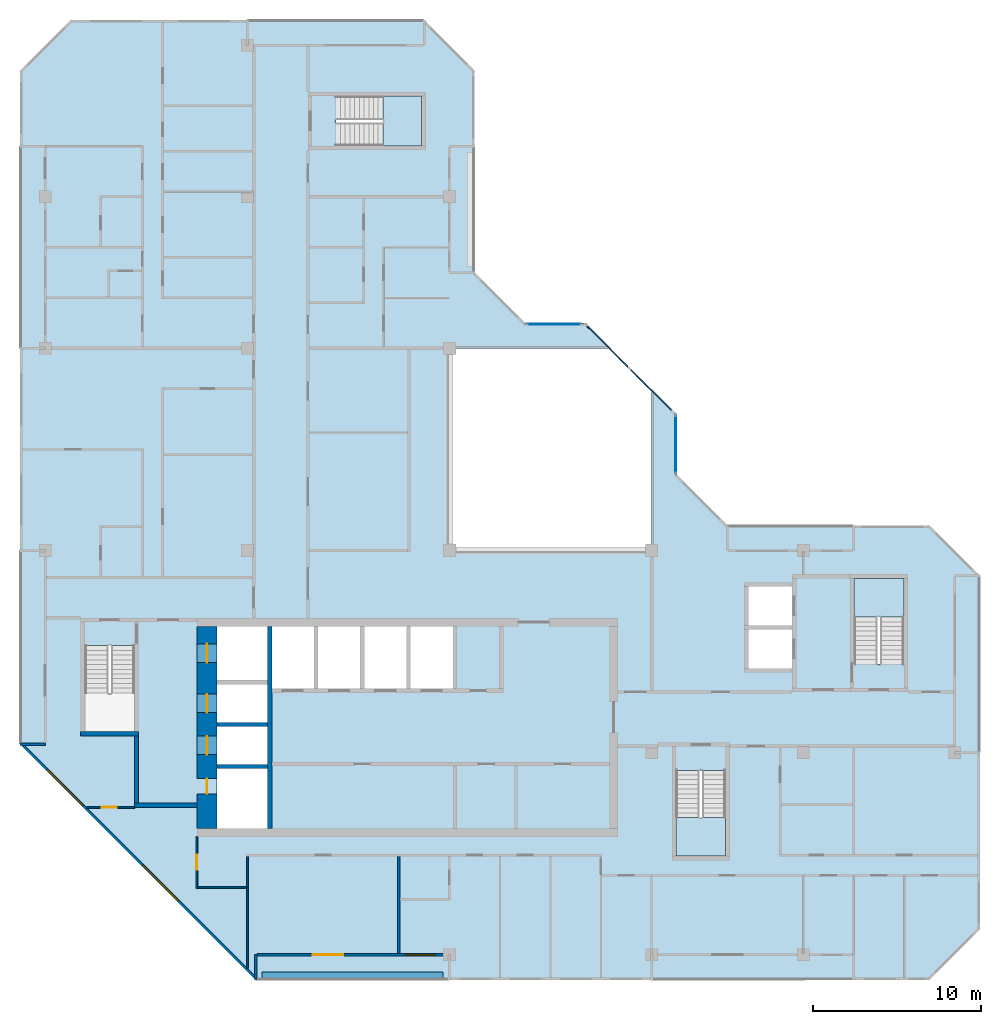
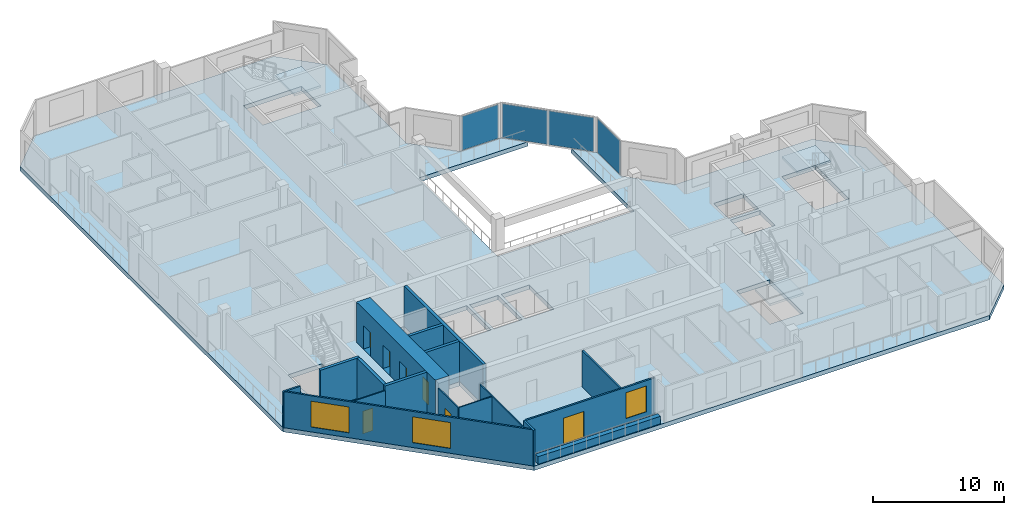
# One storey, part 3 of 12: 17 walls, 7 doors, 4 plates, 4 slabs, 3 windows, 10 openings, 6 elements without a shape of their own.
"""IFC4 building model written with IfcOpenShell, lengths in metres."""

from ifc_helpers import new_model, si_unit, direction, frame, frame_2d, origin, origin_2d, place, context, subcontext, project, spatial, polyline, rectangle, outline, extrude, material, layer, layer_set, type_object, element, fill, aggregate, save


model = new_model("IFC4")

# Units and contexts
model_context = context("Model", 3, precision=1e-05, world=origin(), true_north=direction((0.0, 1.0)))
body_context = subcontext(model_context, "Body", "Model", "MODEL_VIEW")
ifc_project = project(units=[si_unit("LENGTHUNIT", "METRE"), si_unit("AREAUNIT", "SQUARE_METRE"), si_unit("VOLUMEUNIT", "CUBIC_METRE"), si_unit("PLANEANGLEUNIT", "RADIAN"), si_unit("MASSUNIT", "GRAM", prefix="KILO")], contexts=[model_context])

# Site, building, storey
site_placement = place(None, origin())
site = spatial("IfcSite", under=ifc_project, at=site_placement, CompositionType="ELEMENT")
building_placement = place(site_placement, origin())
building = spatial("IfcBuilding", under=site, at=building_placement, Name="Chenar Terraces", CompositionType="ELEMENT")
storey_placement = place(building_placement, frame((0.0, 0.0, 350.14990234375)))
storey = spatial("IfcBuildingStorey", under=building, at=storey_placement, Name="L81", CompositionType="ELEMENT", Elevation=350.14990234375)

# Curtain wall, plate
ifc_material_1 = material(Name="Aluminium framed glazing", Category="aluminium")
ifc_layer_1 = layer(ifc_material_1, 0.14990234375)
ifc_layer_set_1 = layer_set([ifc_layer_1], Name="Aluminium framed glazing")
curtain_wall_type = type_object("IfcCurtainWallType", Name="Atrium upper-zone curtain wall", PredefinedType="NOTDEFINED", material=ifc_layer_set_1)
placement_1 = place(storey_placement, origin())
curtain_wall_1 = element("IfcCurtainWall", 1, at=placement_1, inside=storey, type_object=curtain_wall_type, Name="Atrium upper-zone curtain wall", PredefinedType="NOTDEFINED")
ifc_material_2 = material(Name="Low emissivity laminated glass, solar control coating", Category="glass")
ifc_layer_2 = layer(ifc_material_2, 0.050048828125)
ifc_layer_set_2 = layer_set([ifc_layer_2], Name="Low emissivity laminated glass, solar control coating")
plate_type = type_object("IfcPlateType", Name="Atrium upper-zone glazing panel 50", PredefinedType="CURTAIN_PANEL", material=ifc_layer_set_2)
plate_1_placement = place(storey_placement, frame((37.425048828125, 30.300048828125, 0.10009765625), z_axis=(0.0, 0.0, 1.0), x_axis=(0.0, 1.0, 0.0)))
plate_1 = element("IfcPlate", 2, at=plate_1_placement, type_object=plate_type, Name="CW8-1 panel 1.1", PredefinedType="CURTAIN_PANEL", context=body_context, shape_type="SweptSolid", body=[
    extrude(rectangle(XDim=3.39990234375, YDim=0.050048828125, at=origin_2d()), origin(), (0.0, 0.0, 1.0), 3.14990234375),
])
aggregate(curtain_wall_1, [plate_1])

# Curtain wall, plates
curtain_wall_2 = element("IfcCurtainWall", 3, at=placement_1, inside=storey, type_object=curtain_wall_type, Name="Atrium upper-zone curtain wall", PredefinedType="NOTDEFINED")
plate_2_placement = place(storey_placement, frame((35.97314453125, 33.520751953125, 0.10009765625), z_axis=(0.0, 0.0, 1.0), x_axis=(-0.707106781187, 0.707106781187, 0.0)))
plate_2 = element("IfcPlate", 4, at=plate_2_placement, type_object=plate_type, Name="CW8-2 panel 1.1", PredefinedType="CURTAIN_PANEL", context=body_context, shape_type="SweptSolid", body=[
    extrude(rectangle(XDim=3.568359375, YDim=0.050048828125, at=origin_2d()), origin(), (0.0, 0.0, 1.0), 3.14990234375),
])
plate_3_placement = place(storey_placement, frame((33.379150390625, 36.11474609375, 0.10009765625), z_axis=(0.0, 0.0, 1.0), x_axis=(-0.707106781187, 0.707106781187, 0.0)))
plate_3 = element("IfcPlate", 5, at=plate_3_placement, type_object=plate_type, Name="CW8-2 panel 2.1", PredefinedType="CURTAIN_PANEL", context=body_context, shape_type="SweptSolid", body=[
    extrude(rectangle(XDim=3.568359375, YDim=0.050048828125, at=origin_2d()), origin(), (0.0, 0.0, 1.0), 3.14990234375),
])
aggregate(curtain_wall_2, [plate_2, plate_3])

# Curtain wall, plate
curtain_wall_3 = element("IfcCurtainWall", 6, at=placement_1, inside=storey, type_object=curtain_wall_type, Name="Atrium upper-zone curtain wall", PredefinedType="NOTDEFINED")
plate_4_placement = place(storey_placement, frame((30.199951171875, 37.425048828125, 0.10009765625), z_axis=(0.0, 0.0, 1.0), x_axis=(-1.0, 0.0, 0.0)))
plate_4 = element("IfcPlate", 7, at=plate_4_placement, type_object=plate_type, Name="CW8-3 panel 1.1", PredefinedType="CURTAIN_PANEL", context=body_context, shape_type="SweptSolid", body=[
    extrude(rectangle(XDim=3.199951171875, YDim=0.050048828125, at=origin_2d()), origin(), (0.0, 0.0, 1.0), 3.14990234375),
])
aggregate(curtain_wall_3, [plate_4])

# Stair, slab
ifc_material_3 = material(Name="Reinforced concrete C40/50", Category="concrete")
stair_type = type_object("IfcStairType", Name="Core stair 1400 half-turn", PredefinedType="HALF_TURN_STAIR", material=ifc_material_3)
stair_1 = element("IfcStair", 8, at=placement_1, inside=storey, type_object=stair_type, Name="L81 Stair 2", PredefinedType="HALF_TURN_STAIR")
ifc_material_4 = material(Name="Reinforced concrete C40/50", Category="concrete")
ifc_layer_3 = layer(ifc_material_4, 0.199951171875)
ifc_layer_set_3 = layer_set([ifc_layer_3], Name="Reinforced concrete C40/50")
slab_type_1 = type_object("IfcSlabType", Name="Core stair landing 200", PredefinedType="LANDING", material=ifc_layer_set_3)
placement_2 = place(storey_placement, frame((0.0, 0.0, 1.675048828125)))
slab_1 = element("IfcSlab", 9, at=placement_2, type_object=slab_type_1, Name="ST2 landing 1", PredefinedType="LANDING", context=body_context, shape_type="SweptSolid", body=[
    extrude(outline(polyline([(37.449951171875, 8.14990234375), (37.449951171875, 5.85009765625), (40.39990234375, 5.85009765625), (40.39990234375, 8.14990234375), (37.449951171875, 8.14990234375)])), origin(), (0.0, 0.0, 1.0), 0.199951171875),
])
aggregate(stair_1, [slab_1])

stair_2 = element("IfcStair", 10, at=placement_1, inside=storey, type_object=stair_type, Name="L81 Stair 3", PredefinedType="HALF_TURN_STAIR")
slab_2 = element("IfcSlab", 11, at=placement_2, type_object=slab_type_1, Name="ST3 landing 1", PredefinedType="LANDING", context=body_context, shape_type="SweptSolid", body=[
    extrude(outline(polyline([(50.97509765625, 20.050048828125), (50.97509765625, 22.35009765625), (48.02490234375, 22.35009765625), (48.02490234375, 20.050048828125), (50.97509765625, 20.050048828125)])), origin(), (0.0, 0.0, 1.0), 0.199951171875),
])
aggregate(stair_2, [slab_2])

stair_3 = element("IfcStair", 12, at=placement_1, inside=storey, type_object=stair_type, Name="L81 Stair 4", PredefinedType="HALF_TURN_STAIR")
slab_3 = element("IfcSlab", 13, at=placement_2, type_object=slab_type_1, Name="ST4 landing 1", PredefinedType="LANDING", context=body_context, shape_type="SweptSolid", body=[
    extrude(outline(polyline([(20.050048828125, 48.02490234375), (22.35009765625, 48.02490234375), (22.35009765625, 50.97509765625), (20.050048828125, 50.97509765625), (20.050048828125, 48.02490234375)])), origin(), (0.0, 0.0, 1.0), 0.199951171875),
])
aggregate(stair_3, [slab_3])

# Slab
ifc_material_5 = material(Name="Concrete C40/50", Category="concrete")
ifc_layer_4 = layer(ifc_material_5, 0.39990234375)
ifc_layer_set_4 = layer_set([ifc_layer_4], Name="Concrete C40/50")
slab_type_2 = type_object("IfcSlabType", Name="Floor slab 400 Concrete C40/50", PredefinedType="FLOOR", material=ifc_layer_set_4)
slab_4_placement = place(storey_placement, frame((0.0, 0.0, -0.39990234375)))
element("IfcSlab", 14, at=slab_4_placement, inside=storey, type_object=slab_type_2, Name="Floor slab L81", PredefinedType="FLOOR", context=body_context, shape_type="SweptSolid", body=[
    extrude(outline(polyline([(55.5, 22.5), (55.5, 1.5), (52.5, -1.5), (12.5, -1.5), (-1.5, 12.5), (-1.5, 52.5), (1.5, 55.5), (22.5, 55.5), (25.5, 52.5), (25.5, 40.5), (28.5, 37.5), (32.10009765625, 37.5), (33.60009765625, 36.0), (24.0, 36.0), (24.0, 24.0), (36.0, 24.0), (36.0, 33.60009765625), (37.5, 32.10009765625), (37.5, 28.5), (40.5, 25.5), (52.5, 25.5), (55.5, 22.5)]), holes=[polyline([(10.199951171875, 11.050048828125), (10.199951171875, 7.5), (13.199951171875, 7.5), (13.199951171875, 11.050048828125), (10.199951171875, 11.050048828125)]), polyline([(13.199951171875, 13.550048828125), (10.199951171875, 13.550048828125), (10.199951171875, 11.300048828125), (13.199951171875, 11.300048828125), (13.199951171875, 13.550048828125)]), polyline([(13.199951171875, 16.050048828125), (10.199951171875, 16.050048828125), (10.199951171875, 13.800048828125), (13.199951171875, 13.800048828125), (13.199951171875, 16.050048828125)]), polyline([(2.35009765625, 13.25), (5.300048828125, 13.25), (5.300048828125, 18.35009765625), (2.35009765625, 18.35009765625), (2.35009765625, 13.25)]), polyline([(15.949951171875, 19.5), (13.449951171875, 19.5), (13.449951171875, 15.800048828125), (15.949951171875, 15.800048828125), (15.949951171875, 19.5)]), polyline([(18.699951171875, 19.5), (16.199951171875, 19.5), (16.199951171875, 15.800048828125), (18.699951171875, 15.800048828125), (18.699951171875, 19.5)]), polyline([(13.199951171875, 19.5), (10.199951171875, 19.5), (10.199951171875, 16.300048828125), (13.199951171875, 16.300048828125), (13.199951171875, 19.5)]), polyline([(22.35009765625, 48.02490234375), (22.35009765625, 50.97509765625), (17.25, 50.97509765625), (17.25, 48.02490234375), (22.35009765625, 48.02490234375)]), polyline([(37.449951171875, 5.85009765625), (40.39990234375, 5.85009765625), (40.39990234375, 10.949951171875), (37.449951171875, 10.949951171875), (37.449951171875, 5.85009765625)]), polyline([(21.449951171875, 19.5), (18.949951171875, 19.5), (18.949951171875, 15.800048828125), (21.449951171875, 15.800048828125), (21.449951171875, 19.5)]), polyline([(24.199951171875, 19.5), (21.699951171875, 19.5), (21.699951171875, 15.800048828125), (24.199951171875, 15.800048828125), (24.199951171875, 19.5)]), polyline([(44.35009765625, 19.300048828125), (41.75, 19.300048828125), (41.75, 17.0), (44.35009765625, 17.0), (44.35009765625, 19.300048828125)]), polyline([(50.97509765625, 22.35009765625), (48.02490234375, 22.35009765625), (48.02490234375, 17.25), (50.97509765625, 17.25), (50.97509765625, 22.35009765625)]), polyline([(44.35009765625, 21.85009765625), (41.75, 21.85009765625), (41.75, 19.550048828125), (44.35009765625, 19.550048828125), (44.35009765625, 21.85009765625)])]), origin(), (0.0, 0.0, 1.0), 0.39990234375),
])

# Wall, openings, doors
ifc_material_6 = material(Name="Concrete C50/60", Category="concrete")
ifc_layer_5 = layer(ifc_material_6, 1.199951171875)
ifc_layer_set_5 = layer_set([ifc_layer_5], Name="Concrete C50/60")
wall_type_1 = type_object("IfcWallType", Name="Core wall 1200 Concrete C50/60", PredefinedType="SHEAR", material=ifc_layer_set_5)
wall_1_placement = place(storey_placement, frame((9.60009765625, 7.5, 0.0), z_axis=(0.0, 0.0, 1.0), x_axis=(0.0, 1.0, 0.0)))
wall_1 = element("IfcWall", 15, at=wall_1_placement, inside=storey, type_object=wall_type_1, Name="Core wall W L81", PredefinedType="SHEAR", context=body_context, shape_type="SweptSolid", body=[
    extrude(rectangle(XDim=12.0, YDim=1.199951171875, at=frame_2d((6.0, 0.0))), origin(), (0.0, 0.0, 1.0), 3.75),
])
opening_1_placement = place(wall_1_placement, frame((4.375, 0.0, 0.0)))
opening_1 = element("IfcOpeningElement", 16, at=opening_1_placement, cuts=wall_1, Name="Opening DL81-LD5", PredefinedType="OPENING", context=body_context, shape_type="SweptSolid", body=[
    extrude(rectangle(XDim=1.10009765625, YDim=2.199951171875, at=frame_2d((0.550048828125, 1.10009765625))), frame((0.0, 0.60986328125, 0.0), z_axis=(0.0, -1.0, 0.0), x_axis=(1.0, 0.0, 0.0)), (0.0, 0.0, 1.0), 1.219970703125),
])
opening_2_placement = place(wall_1_placement, frame((6.875, 0.0, 0.0)))
opening_2 = element("IfcOpeningElement", 17, at=opening_2_placement, cuts=wall_1, Name="Opening DL81-LD6", PredefinedType="OPENING", context=body_context, shape_type="SweptSolid", body=[
    extrude(rectangle(XDim=1.10009765625, YDim=2.199951171875, at=frame_2d((0.550048828125, 1.10009765625))), frame((0.0, 0.60986328125, 0.0), z_axis=(0.0, -1.0, 0.0), x_axis=(1.0, 0.0, 0.0)), (0.0, 0.0, 1.0), 1.219970703125),
])
opening_3_placement = place(wall_1_placement, frame((9.85009765625, 0.0, 0.0)))
opening_3 = element("IfcOpeningElement", 18, at=opening_3_placement, cuts=wall_1, Name="Opening DL81-LD7", PredefinedType="OPENING", context=body_context, shape_type="SweptSolid", body=[
    extrude(rectangle(XDim=1.10009765625, YDim=2.199951171875, at=frame_2d((0.550048828125, 1.10009765625))), frame((0.0, 0.60986328125, 0.0), z_axis=(0.0, -1.0, 0.0), x_axis=(1.0, 0.0, 0.0)), (0.0, 0.0, 1.0), 1.219970703125),
])
opening_4_placement = place(wall_1_placement, frame((2.050048828125, 0.0, 0.0)))
opening_4 = element("IfcOpeningElement", 19, at=opening_4_placement, cuts=wall_1, Name="Opening DL81-C4", PredefinedType="OPENING", context=body_context, shape_type="SweptSolid", body=[
    extrude(rectangle(XDim=0.89990234375, YDim=2.10009765625, at=frame_2d((0.449951171875, 1.050048828125))), frame((0.0, 0.60986328125, 0.0), z_axis=(0.0, -1.0, 0.0), x_axis=(1.0, 0.0, 0.0)), (0.0, 0.0, 1.0), 1.219970703125),
])
ifc_material_7 = material(Name="Stainless steel", Category="steel")
door_type_1 = type_object("IfcDoorType", Name="Lift landing door 1100 x 2200 sliding", OperationType="DOUBLE_DOOR_SLIDING", PredefinedType="DOOR", material=ifc_material_7)
door_1_placement = place(opening_1_placement, origin())
door_1 = element("IfcDoor", 20, at=door_1_placement, inside=storey, type_object=door_type_1, Name="Landing door S1", OperationType="DOUBLE_DOOR_SLIDING", OverallHeight=2.199951171875, OverallWidth=1.10009765625, PredefinedType="DOOR", context=body_context, shape_type="SweptSolid", body=[
    extrude(rectangle(XDim=1.10009765625, YDim=2.199951171875, at=frame_2d((0.550048828125, 1.10009765625))), frame((0.0, 0.02490234375, 0.0), z_axis=(0.0, -1.0, 0.0), x_axis=(1.0, 0.0, 0.0)), (0.0, 0.0, 1.0), 0.050048828125),
])
fill(opening_1, door_1)
door_2_placement = place(opening_2_placement, origin())
door_2 = element("IfcDoor", 21, at=door_2_placement, inside=storey, type_object=door_type_1, Name="Landing door F1", OperationType="DOUBLE_DOOR_SLIDING", OverallHeight=2.199951171875, OverallWidth=1.10009765625, PredefinedType="DOOR", context=body_context, shape_type="SweptSolid", body=[
    extrude(rectangle(XDim=1.10009765625, YDim=2.199951171875, at=frame_2d((0.550048828125, 1.10009765625))), frame((0.0, 0.02490234375, 0.0), z_axis=(0.0, -1.0, 0.0), x_axis=(1.0, 0.0, 0.0)), (0.0, 0.0, 1.0), 0.050048828125),
])
fill(opening_2, door_2)
door_3_placement = place(opening_3_placement, origin())
door_3 = element("IfcDoor", 22, at=door_3_placement, inside=storey, type_object=door_type_1, Name="Landing door F2", OperationType="DOUBLE_DOOR_SLIDING", OverallHeight=2.199951171875, OverallWidth=1.10009765625, PredefinedType="DOOR", context=body_context, shape_type="SweptSolid", body=[
    extrude(rectangle(XDim=1.10009765625, YDim=2.199951171875, at=frame_2d((0.550048828125, 1.10009765625))), frame((0.0, 0.02490234375, 0.0), z_axis=(0.0, -1.0, 0.0), x_axis=(1.0, 0.0, 0.0)), (0.0, 0.0, 1.0), 0.050048828125),
])
fill(opening_3, door_3)
ifc_material_8 = material(Name="Steel-framed fire-resisting door leaf", Category="steel")
door_type_2 = type_object("IfcDoorType", Name="Riser fire door FD60 900 x 2100", OperationType="SINGLE_SWING_LEFT", PredefinedType="DOOR", material=ifc_material_8)
door_4_placement = place(opening_4_placement, frame((0.89990234375, 0.0, 0.0), z_axis=(0.0, 0.0, 1.0), x_axis=(-1.0, 0.0, 0.0)))
door_4 = element("IfcDoor", 23, at=door_4_placement, inside=storey, type_object=door_type_2, Name="Riser door DL81-C4", OperationType="SINGLE_SWING_LEFT", OverallHeight=2.10009765625, OverallWidth=0.89990234375, PredefinedType="DOOR", context=body_context, shape_type="SweptSolid", body=[
    extrude(rectangle(XDim=0.89990234375, YDim=2.10009765625, at=frame_2d((0.449951171875, 1.050048828125))), frame((0.0, 0.02490234375, 0.0), z_axis=(0.0, -1.0, 0.0), x_axis=(1.0, 0.0, 0.0)), (0.0, 0.0, 1.0), 0.050048828125),
])
fill(opening_4, door_4)

# Walls
ifc_material_9 = material(Name="Concrete C50/60", Category="concrete")
ifc_layer_6 = layer(ifc_material_9, 0.25)
ifc_layer_set_6 = layer_set([ifc_layer_6], Name="Concrete C50/60")
wall_type_2 = type_object("IfcWallType", Name="Core wall 250 Concrete C50/60", PredefinedType="SHEAR", material=ifc_layer_set_6)
wall_2_placement = place(storey_placement, frame((13.324951171875, 7.5, 0.0), z_axis=(0.0, 0.0, 1.0), x_axis=(0.0, 1.0, 0.0)))
element("IfcWall", 24, at=wall_2_placement, inside=storey, type_object=wall_type_2, Name="Core wall WI L81", PredefinedType="SHEAR", context=body_context, shape_type="SweptSolid", body=[
    extrude(rectangle(XDim=12.0, YDim=0.25, at=frame_2d((6.0, 0.0))), origin(), (0.0, 0.0, 1.0), 3.75),
])
for number, where, z_axis, x_axis, name in (
    (25, (10.199951171875, 11.175048828125, 0.0), (0.0, 0.0, 1.0), (1.0, 0.0, 0.0), "Core wall HW0 L81"),
    (26, (10.199951171875, 13.675048828125, 0.0), (0.0, 0.0, 1.0), (1.0, 0.0, 0.0), "Core wall HW1 L81"),
):
    element("IfcWall", number, at=place(storey_placement, frame(where, z_axis=z_axis, x_axis=x_axis)), inside=storey, type_object=wall_type_2, Name=name, PredefinedType="SHEAR", context=body_context, shape_type="SweptSolid", body=[
        extrude(rectangle(XDim=3.0, YDim=0.25, at=frame_2d((1.5, 0.0))), origin(), (0.0, 0.0, 1.0), 3.75),
    ])
wall_3_placement = place(storey_placement, frame((2.10009765625, 13.125, 0.0), z_axis=(0.0, 0.0, 1.0), x_axis=(1.0, 0.0, 0.0)))
element("IfcWall", 27, at=wall_3_placement, inside=storey, type_object=wall_type_2, Name="Core wall ST1_S L81", PredefinedType="SHEAR", context=body_context, shape_type="SweptSolid", body=[
    extrude(rectangle(XDim=3.449951171875, YDim=0.25, at=frame_2d((1.72509765625, 0.0))), origin(), (0.0, 0.0, 1.0), 3.75),
])
wall_4_placement = place(storey_placement, frame((5.300048828125, 8.875, 0.0), z_axis=(0.0, 0.0, 1.0), x_axis=(1.0, 0.0, 0.0)))
element("IfcWall", 28, at=wall_4_placement, inside=storey, type_object=wall_type_2, Name="Core wall FFL_S L81", PredefinedType="SHEAR", context=body_context, shape_type="SweptSolid", body=[
    extrude(rectangle(XDim=3.699951171875, YDim=0.25, at=frame_2d((1.85009765625, 0.0))), origin(), (0.0, 0.0, 1.0), 3.75),
])
wall_5_placement = place(storey_placement, frame((5.425048828125, 9.0, 0.0), z_axis=(0.0, 0.0, 1.0), x_axis=(0.0, 1.0, 0.0)))
element("IfcWall", 29, at=wall_5_placement, inside=storey, type_object=wall_type_2, Name="Core wall FFL_W L81", PredefinedType="SHEAR", context=body_context, shape_type="SweptSolid", body=[
    extrude(rectangle(XDim=4.0, YDim=0.25, at=frame_2d((2.0, 0.0))), origin(), (0.0, 0.0, 1.0), 3.75),
])

# Wall, openings, window, door
ifc_material_10 = material(Name="Aluminium framed glazing", Category="aluminium")
ifc_layer_7 = layer(ifc_material_10, 0.14990234375)
ifc_layer_set_7 = layer_set([ifc_layer_7], Name="Aluminium framed glazing")
wall_type_3 = type_object("IfcWallType", Name="Glazed loggia back wall 150", PredefinedType="SOLIDWALL", material=ifc_layer_set_7)
wall_6_placement = place(storey_placement, frame((12.574951171875, 0.0, 0.0), z_axis=(0.0, 0.0, 1.0), x_axis=(1.0, 0.0, 0.0)))
wall_6 = element("IfcWall", 30, at=wall_6_placement, inside=storey, type_object=wall_type_3, Name="Glazed loggia back wall", PredefinedType="SOLIDWALL", context=body_context, shape_type="SweptSolid", body=[
    extrude(rectangle(XDim=11.35009765625, YDim=0.14990234375, at=frame_2d((5.675048828125, 0.0))), origin(), (0.0, 0.0, 1.0), 3.35009765625),
])
opening_5_placement = place(wall_6_placement, frame((3.3125, 0.0, 0.0)))
opening_5 = element("IfcOpeningElement", 31, at=opening_5_placement, cuts=wall_6, Name="Opening DL81-G3", PredefinedType="OPENING", context=body_context, shape_type="SweptSolid", body=[
    extrude(rectangle(XDim=1.800048828125, YDim=2.39990234375, at=frame_2d((0.89990234375, 1.199951171875))), frame((0.0, 0.0849609375, 0.0), z_axis=(0.0, -1.0, 0.0), x_axis=(1.0, 0.0, 0.0)), (0.0, 0.0, 1.0), 0.169921875),
])
opening_6_placement = place(wall_6_placement, frame((8.78759765625, 0.0, 0.449951171875)))
opening_6 = element("IfcOpeningElement", 32, at=opening_6_placement, cuts=wall_6, Name="Opening W180x240", PredefinedType="OPENING", context=body_context, shape_type="SweptSolid", body=[
    extrude(rectangle(XDim=1.800048828125, YDim=2.39990234375, at=frame_2d((0.89990234375, 1.199951171875))), frame((0.0, 0.0849609375, 0.0), z_axis=(0.0, -1.0, 0.0), x_axis=(1.0, 0.0, 0.0)), (0.0, 0.0, 1.0), 0.169921875),
])
ifc_material_11 = material(Name="Low emissivity double glazing, aluminium frame", Category="aluminium")
window_type_1 = type_object("IfcWindowType", Name="Fixed light 1800 x 2400", PartitioningType="SINGLE_PANEL", PredefinedType="WINDOW", material=ifc_material_11)
window_1_placement = place(opening_6_placement, origin())
window_1 = element("IfcWindow", 33, at=window_1_placement, inside=storey, type_object=window_type_1, Name="Window", OverallHeight=2.39990234375, OverallWidth=1.800048828125, PartitioningType="SINGLE_PANEL", PredefinedType="WINDOW", context=body_context, shape_type="SweptSolid", body=[
    extrude(rectangle(XDim=1.800048828125, YDim=2.39990234375, at=frame_2d((0.89990234375, 1.199951171875))), frame((0.0, 0.030029296875, 0.0), z_axis=(0.0, -1.0, 0.0), x_axis=(1.0, 0.0, 0.0)), (0.0, 0.0, 1.0), 0.06005859375),
])
fill(opening_6, window_1)
ifc_material_12 = material(Name="Low emissivity double glazing, aluminium frame", Category="aluminium")
door_type_3 = type_object("IfcDoorType", Name="Loggia glazed double door 1800 x 2400", OperationType="DOUBLE_DOOR_SINGLE_SWING", PredefinedType="DOOR", material=ifc_material_12)
door_5_placement = place(opening_5_placement, frame((1.800048828125, 0.0, 0.0), z_axis=(0.0, 0.0, 1.0), x_axis=(-1.0, 0.0, 0.0)))
door_5 = element("IfcDoor", 34, at=door_5_placement, inside=storey, type_object=door_type_3, Name="Loggia glazed door", OperationType="DOUBLE_DOOR_SINGLE_SWING", OverallHeight=2.39990234375, OverallWidth=1.800048828125, PredefinedType="DOOR", context=body_context, shape_type="SweptSolid", body=[
    extrude(rectangle(XDim=1.800048828125, YDim=2.39990234375, at=frame_2d((0.89990234375, 1.199951171875))), frame((0.0, 0.02490234375, 0.0), z_axis=(0.0, -1.0, 0.0), x_axis=(1.0, 0.0, 0.0)), (0.0, 0.0, 1.0), 0.050048828125),
])
fill(opening_5, door_5)

# Wall, opening, door
ifc_material_13 = material(Name="Gypsum board on steel studs", Category="steel")
ifc_layer_8 = layer(ifc_material_13, 0.10009765625)
ifc_layer_set_8 = layer_set([ifc_layer_8], Name="Gypsum board on steel studs")
wall_type_4 = type_object("IfcWallType", Name="Gypsum partition 100", PredefinedType="PARTITIONING", material=ifc_layer_set_8)
wall_7_placement = place(storey_placement, frame((2.4609375, 8.75, 0.0), z_axis=(0.0, 0.0, 1.0), x_axis=(1.0, 0.0, 0.0)))
wall_7 = element("IfcWall", 35, at=wall_7_placement, inside=storey, type_object=wall_type_4, Name="Partition L81-008", PredefinedType="PARTITIONING", context=body_context, shape_type="SweptSolid", body=[
    extrude(rectangle(XDim=2.839111328125, YDim=0.10009765625, at=frame_2d((1.41943359375, 0.0))), origin(), (0.0, 0.0, 1.0), 3.35009765625),
])
opening_7_placement = place(wall_7_placement, frame((0.888916015625, 0.0, 0.0)))
opening_7 = element("IfcOpeningElement", 36, at=opening_7_placement, cuts=wall_7, Name="Opening DL81-33", PredefinedType="OPENING", context=body_context, shape_type="SweptSolid", body=[
    extrude(rectangle(XDim=0.89990234375, YDim=2.10009765625, at=frame_2d((0.449951171875, 1.050048828125))), frame((0.0, 0.06005859375, 0.0), z_axis=(0.0, -1.0, 0.0), x_axis=(1.0, 0.0, 0.0)), (0.0, 0.0, 1.0), 0.1201171875),
])
ifc_material_14 = material(Name="Veneered timber door leaf", Category="wood")
door_type_4 = type_object("IfcDoorType", Name="Door 900 x 2100", OperationType="SINGLE_SWING_LEFT", PredefinedType="DOOR", material=ifc_material_14)
door_6_placement = place(opening_7_placement, frame((0.89990234375, 0.0, 0.0), z_axis=(0.0, 0.0, 1.0), x_axis=(-1.0, 0.0, 0.0)))
door_6 = element("IfcDoor", 37, at=door_6_placement, inside=storey, type_object=door_type_4, Name="Door DL81-33", OperationType="SINGLE_SWING_RIGHT", OverallHeight=2.10009765625, OverallWidth=0.89990234375, PredefinedType="DOOR", context=body_context, shape_type="SweptSolid", body=[
    extrude(rectangle(XDim=0.89990234375, YDim=2.10009765625, at=frame_2d((0.449951171875, 1.050048828125))), frame((0.0, 0.02490234375, 0.0), z_axis=(0.0, -1.0, 0.0), x_axis=(1.0, 0.0, 0.0)), (0.0, 0.0, 1.0), 0.050048828125),
])
fill(opening_7, door_6)

wall_8_placement = place(storey_placement, frame((9.0, 3.949951171875, 0.0), z_axis=(0.0, 0.0, 1.0), x_axis=(0.0, 1.0, 0.0)))
wall_8 = element("IfcWall", 38, at=wall_8_placement, inside=storey, type_object=wall_type_4, Name="Partition L81-026", PredefinedType="PARTITIONING", context=body_context, shape_type="SweptSolid", body=[
    extrude(rectangle(XDim=3.050048828125, YDim=0.10009765625, at=frame_2d((1.52490234375, 0.0))), origin(), (0.0, 0.0, 1.0), 3.35009765625),
])
opening_8_placement = place(wall_8_placement, frame((1.10009765625, 0.0, 0.0)))
opening_8 = element("IfcOpeningElement", 39, at=opening_8_placement, cuts=wall_8, Name="Opening DL81-32", PredefinedType="OPENING", context=body_context, shape_type="SweptSolid", body=[
    extrude(rectangle(XDim=0.89990234375, YDim=2.10009765625, at=frame_2d((0.449951171875, 1.050048828125))), frame((0.0, 0.06005859375, 0.0), z_axis=(0.0, -1.0, 0.0), x_axis=(1.0, 0.0, 0.0)), (0.0, 0.0, 1.0), 0.1201171875),
])
door_7_placement = place(opening_8_placement, origin())
door_7 = element("IfcDoor", 40, at=door_7_placement, inside=storey, type_object=door_type_4, Name="Door DL81-32", OperationType="SINGLE_SWING_LEFT", OverallHeight=2.10009765625, OverallWidth=0.89990234375, PredefinedType="DOOR", context=body_context, shape_type="SweptSolid", body=[
    extrude(rectangle(XDim=0.89990234375, YDim=2.10009765625, at=frame_2d((0.449951171875, 1.050048828125))), frame((0.0, 0.02490234375, 0.0), z_axis=(0.0, -1.0, 0.0), x_axis=(1.0, 0.0, 0.0)), (0.0, 0.0, 1.0), 0.050048828125),
])
fill(opening_8, door_7)

# Walls
wall_9_placement = place(storey_placement, frame((9.050048828125, 4.0, 0.0), z_axis=(0.0, 0.0, 1.0), x_axis=(1.0, 0.0, 0.0)))
element("IfcWall", 41, at=wall_9_placement, inside=storey, type_object=wall_type_4, Name="Partition L81-027", PredefinedType="PARTITIONING", context=body_context, shape_type="SweptSolid", body=[
    extrude(rectangle(XDim=2.89990234375, YDim=0.10009765625, at=frame_2d((1.449951171875, 0.0))), origin(), (0.0, 0.0, 1.0), 3.35009765625),
])
wall_10_placement = place(storey_placement, frame((12.0, -0.787841796875, 0.0), z_axis=(0.0, 0.0, 1.0), x_axis=(0.0, 1.0, 0.0)))
element("IfcWall", 42, at=wall_10_placement, inside=storey, type_object=wall_type_4, Name="Partition L81-029", PredefinedType="PARTITIONING", context=body_context, shape_type="SweptSolid", body=[
    extrude(rectangle(XDim=6.61279296875, YDim=0.10009765625, at=frame_2d((3.306396484375, 0.0))), origin(), (0.0, 0.0, 1.0), 3.35009765625),
])
ifc_material_15 = material(Name="Terracotta cladding on insulated backing", Category="masonry")
ifc_layer_9 = layer(ifc_material_15, 0.14990234375)
ifc_layer_set_9 = layer_set([ifc_layer_9], Name="Terracotta cladding on insulated backing")
wall_type_5 = type_object("IfcWallType", Name="Loggia return wall 150", PredefinedType="SOLIDWALL", material=ifc_layer_set_9)
for number, where, z_axis, x_axis, name in (
    (43, (-1.5, 12.5, 0.0), (0.0, 0.0, 1.0), (1.0, 0.0, 0.0), "Loggia return wall"),
    (44, (12.5, -1.5, 0.0), (0.0, 0.0, 1.0), (0.0, 1.0, 0.0), "Loggia return wall"),
):
    element("IfcWall", number, at=place(storey_placement, frame(where, z_axis=z_axis, x_axis=x_axis)), inside=storey, type_object=wall_type_5, Name=name, PredefinedType="SOLIDWALL", context=body_context, shape_type="SweptSolid", body=[
        extrude(rectangle(XDim=1.5, YDim=0.14990234375, at=frame_2d((0.75, 0.0))), origin(), (0.0, 0.0, 1.0), 3.35009765625),
    ])

# Wall, openings, windows
ifc_material_16 = material(Name="Terracotta cladding on insulated backing", Category="masonry")
ifc_layer_10 = layer(ifc_material_16, 0.14990234375)
ifc_layer_set_10 = layer_set([ifc_layer_10], Name="Terracotta cladding on insulated backing")
wall_type_6 = type_object("IfcWallType", Name="Terracotta rainscreen wall 150", PredefinedType="SOLIDWALL", material=ifc_layer_set_10)
wall_11_placement = place(storey_placement, frame((-1.447021484375, 12.552978515625, 0.0), z_axis=(0.0, 0.0, 1.0), x_axis=(0.707106781187, -0.707106781187, 0.0)))
wall_11 = element("IfcWall", 45, at=wall_11_placement, inside=storey, type_object=wall_type_6, Name="Terracotta rainscreen wall", PredefinedType="SOLIDWALL", context=body_context, shape_type="SweptSolid", body=[
    extrude(rectangle(XDim=19.799072265625, YDim=0.14990234375, at=frame_2d((9.8994140625, 0.0))), origin(), (0.0, 0.0, 1.0), 3.35009765625),
])
opening_9_placement = place(wall_11_placement, frame((2.21240234375, 0.0, 0.449951171875)))
opening_9 = element("IfcOpeningElement", 46, at=opening_9_placement, cuts=wall_11, Name="Opening W300x240", PredefinedType="OPENING", context=body_context, shape_type="SweptSolid", body=[
    extrude(rectangle(XDim=3.0, YDim=2.39990234375, at=frame_2d((1.5, 1.199951171875))), frame((0.0, 0.0849609375, 0.0), z_axis=(0.0, -1.0, 0.0), x_axis=(1.0, 0.0, 0.0)), (0.0, 0.0, 1.0), 0.169921875),
])
opening_10_placement = place(wall_11_placement, frame((10.215576171875, 0.0, 0.449951171875)))
opening_10 = element("IfcOpeningElement", 47, at=opening_10_placement, cuts=wall_11, Name="Opening W300x240", PredefinedType="OPENING", context=body_context, shape_type="SweptSolid", body=[
    extrude(rectangle(XDim=3.0, YDim=2.39990234375, at=frame_2d((1.5, 1.199951171875))), frame((0.0, 0.0849609375, 0.0), z_axis=(0.0, -1.0, 0.0), x_axis=(1.0, 0.0, 0.0)), (0.0, 0.0, 1.0), 0.169921875),
])
ifc_material_17 = material(Name="Low emissivity double glazing, aluminium frame", Category="aluminium")
window_type_2 = type_object("IfcWindowType", Name="Fixed light 3000 x 2400", PartitioningType="SINGLE_PANEL", PredefinedType="WINDOW", material=ifc_material_17)
window_2_placement = place(opening_9_placement, origin())
window_2 = element("IfcWindow", 48, at=window_2_placement, inside=storey, type_object=window_type_2, Name="Window", OverallHeight=2.39990234375, OverallWidth=3.0, PartitioningType="SINGLE_PANEL", PredefinedType="WINDOW", context=body_context, shape_type="SweptSolid", body=[
    extrude(rectangle(XDim=3.0, YDim=2.39990234375, at=frame_2d((1.5, 1.199951171875))), frame((0.0, 0.030029296875, 0.0), z_axis=(0.0, -1.0, 0.0), x_axis=(1.0, 0.0, 0.0)), (0.0, 0.0, 1.0), 0.06005859375),
])
fill(opening_9, window_2)
window_3_placement = place(opening_10_placement, origin())
window_3 = element("IfcWindow", 49, at=window_3_placement, inside=storey, type_object=window_type_2, Name="Window", OverallHeight=2.39990234375, OverallWidth=3.0, PartitioningType="SINGLE_PANEL", PredefinedType="WINDOW", context=body_context, shape_type="SweptSolid", body=[
    extrude(rectangle(XDim=3.0, YDim=2.39990234375, at=frame_2d((1.5, 1.199951171875))), frame((0.0, 0.030029296875, 0.0), z_axis=(0.0, -1.0, 0.0), x_axis=(1.0, 0.0, 0.0)), (0.0, 0.0, 1.0), 0.06005859375),
])
fill(opening_10, window_3)

# Walls
ifc_material_18 = material(Name="GRP planter trough")
ifc_layer_11 = layer(ifc_material_18, 0.39990234375)
ifc_layer_set_11 = layer_set([ifc_layer_11], Name="GRP planter trough")
wall_type_7 = type_object("IfcWallType", Name="Vertical greenery planter 400", PredefinedType="SOLIDWALL", material=ifc_layer_set_11)
wall_12_placement = place(storey_placement, frame((12.875, -1.22900390625, 0.0), z_axis=(0.0, 0.0, 1.0), x_axis=(1.0, 0.0, 0.0)))
element("IfcWall", 50, at=wall_12_placement, inside=storey, type_object=wall_type_7, Name="Vertical greenery planter", PredefinedType="SOLIDWALL", context=body_context, shape_type="SweptSolid", body=[
    extrude(rectangle(XDim=10.75, YDim=0.39990234375, at=frame_2d((5.375, 0.0))), origin(), (0.0, 0.0, 1.0), 0.7001953125),
])
ifc_material_19 = material(Name="Moisture-resistant gypsum board on steel studs", Category="steel")
ifc_layer_12 = layer(ifc_material_19, 0.14990234375)
ifc_layer_set_12 = layer_set([ifc_layer_12], Name="Moisture-resistant gypsum board on steel studs")
wall_type_8 = type_object("IfcWallType", Name="Wet-room partition 150", PredefinedType="PARTITIONING", material=ifc_layer_set_12)
wall_13_placement = place(storey_placement, frame((21.0, 0.073974609375, 0.0), z_axis=(0.0, 0.0, 1.0), x_axis=(0.0, 1.0, 0.0)))
element("IfcWall", 51, at=wall_13_placement, inside=storey, type_object=wall_type_8, Name="Partition L81-043", PredefinedType="PARTITIONING", context=body_context, shape_type="SweptSolid", body=[
    extrude(rectangle(XDim=5.7509765625, YDim=0.14990234375, at=frame_2d((2.87548828125, 0.0))), origin(), (0.0, 0.0, 1.0), 3.35009765625),
])

save(model, "model.ifc")
